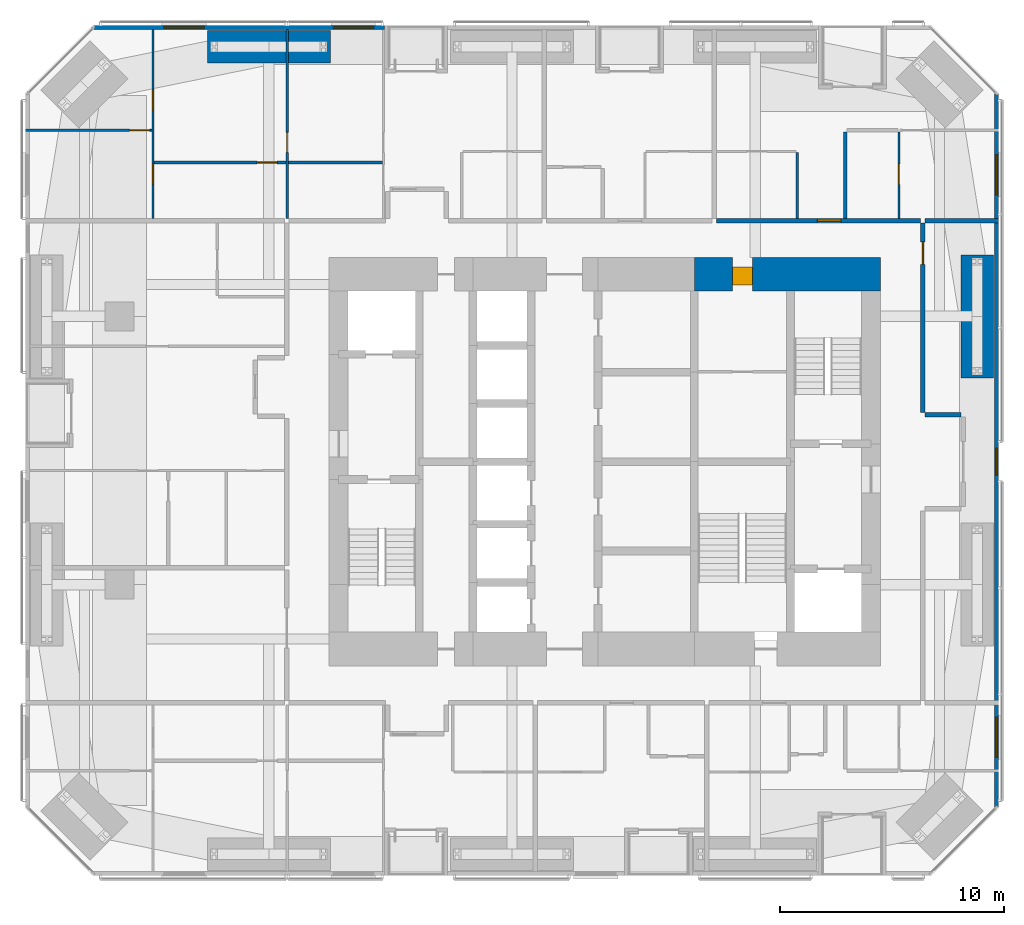
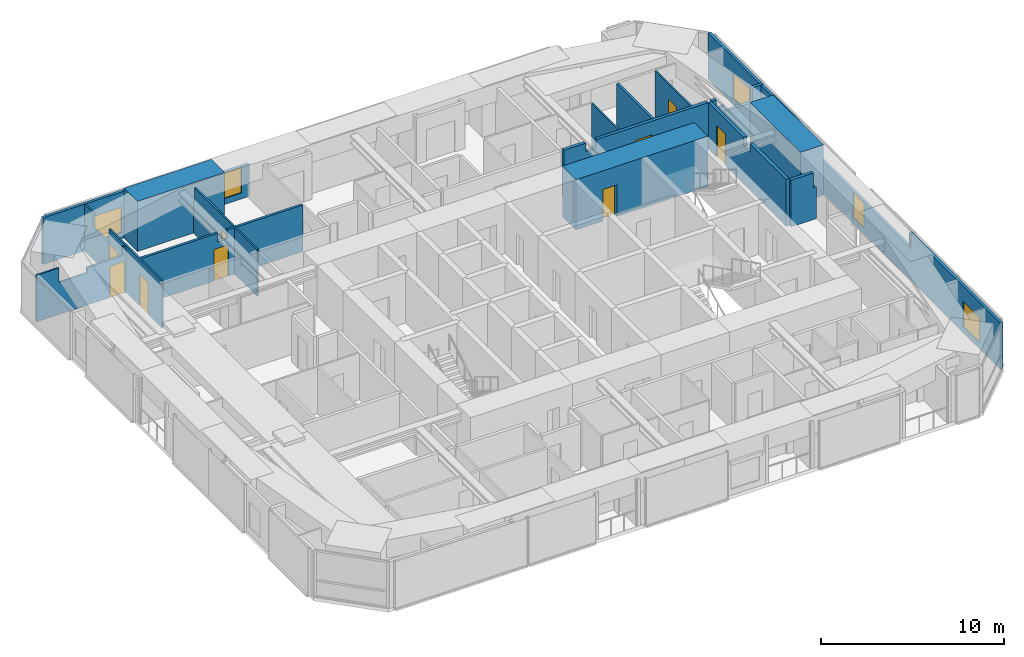
# One storey, part 22 of 25: 17 walls, 9 doors, 5 windows, 14 openings.
"""IFC4 building model written with IfcOpenShell, lengths in metres."""

import ifcopenshell
import ifcopenshell.guid

model = None  # the IFC model being written
_history = None  # IfcOwnerHistory: only IFC2X3 demands one
_inside = {}  # id of a spatial element -> (the spatial element, [elements in it])
_under = {}  # id of a project, library or spatial element -> (it, [spatial elements below it])
_declared = {}  # id of a project -> (the project, [libraries it declares])
_typed = {}  # id of a type object -> (the type object, [elements of that type])
_made_of = {}  # id of a material, layer set ... -> (it, [elements and type objects made of it])


def new_model(schema):
    """Start an empty IFC model of exactly this schema.

    Asked for "IFC4X3", IfcOpenShell would pick the latest addendum, in which some entities
    have other attributes; the version numbers below select the first issue.
    IFC2X3 requires an IfcOwnerHistory on every rooted entity: one is made here for all.
    """
    global model, _history
    if schema == "IFC4X3":
        model = ifcopenshell.file(schema_version=(4, 3, 0, 0))
    else:
        model = ifcopenshell.file(schema=schema)
    _inside.clear()
    _under.clear()
    _declared.clear()
    _typed.clear()
    _made_of.clear()
    _history = None
    if model.schema == "IFC2X3":
        org = make("IfcOrganization", Name="unknown")
        user = make(
            "IfcPersonAndOrganization",
            ThePerson=make("IfcPerson", FamilyName="unknown"),
            TheOrganization=org,
        )
        app = make(
            "IfcApplication",
            ApplicationDeveloper=org,
            Version="unknown",
            ApplicationFullName="unknown",
            ApplicationIdentifier="unknown",
        )
        _history = make(
            "IfcOwnerHistory",
            OwningUser=user,
            OwningApplication=app,
            ChangeAction="ADDED",
            CreationDate=0,
        )
    return model


def make(cls, **values):
    """One entity of the class cls with the attributes given. An attribute that is None is left unset."""
    return model.create_entity(
        cls, **{name: value for name, value in values.items() if value is not None}
    )


def rooted(cls, **values):
    """An entity with a GlobalId (a new one), such as an element, a storey or a relation."""
    return make(cls, GlobalId=ifcopenshell.guid.new(), OwnerHistory=_history, **values)


def si_unit(unit_type, name, prefix=None):
    """IfcSIUnit, for example si_unit("LENGTHUNIT", "METRE", prefix="MILLI")."""
    return make("IfcSIUnit", UnitType=unit_type, Prefix=prefix, Name=name)


def assignment(units):
    """IfcUnitAssignment: the units of a project."""
    return None if units is None else make("IfcUnitAssignment", Units=units)


def point(xyz):
    """IfcCartesianPoint."""
    return None if xyz is None else make("IfcCartesianPoint", Coordinates=xyz)


def direction(xyz):
    """IfcDirection."""
    return None if xyz is None else make("IfcDirection", DirectionRatios=xyz)


def frame(location, z_axis=None, x_axis=None):
    """IfcAxis2Placement3D, a coordinate frame: its origin and axes. An axis left out is left unset."""
    return make(
        "IfcAxis2Placement3D",
        Location=point(location),
        Axis=direction(z_axis),
        RefDirection=direction(x_axis),
    )


def frame_2d(location, x_axis=None):
    """IfcAxis2Placement2D, a coordinate frame in the plane: its origin and x axis."""
    return make(
        "IfcAxis2Placement2D", Location=point(location), RefDirection=direction(x_axis)
    )


def origin():
    """The frame at (0, 0, 0) with its axes left unset."""
    return frame((0.0, 0.0, 0.0))


def place(relative_to, where):
    """IfcLocalPlacement: puts the frame where relative to a parent placement (None: the world)."""
    return make(
        "IfcLocalPlacement", PlacementRelTo=relative_to, RelativePlacement=where
    )


def context(
    kind, dimensions, precision=None, world=None, true_north=None, identifier=None
):
    """IfcGeometricRepresentationContext, for example the 3D "Model" context."""
    return make(
        "IfcGeometricRepresentationContext",
        ContextIdentifier=identifier,
        ContextType=kind,
        CoordinateSpaceDimension=dimensions,
        Precision=precision,
        WorldCoordinateSystem=world,
        TrueNorth=true_north,
    )


def subcontext(parent, identifier, kind, view, scale=None):
    """IfcGeometricRepresentationSubContext, for example "Body" below "Model"."""
    return make(
        "IfcGeometricRepresentationSubContext",
        ContextIdentifier=identifier,
        ContextType=kind,
        ParentContext=parent,
        TargetScale=scale,
        TargetView=view,
    )


def project(units=None, contexts=None):
    """IfcProject with its units and contexts."""
    return rooted(
        "IfcProject",
        Name="project",
        RepresentationContexts=contexts,
        UnitsInContext=assignment(units),
    )


def spatial(cls, under=None, at=None, **own):
    """A site, building, storey or space (cls), placed at a placement, below another one or the project."""
    s = rooted(cls, ObjectPlacement=at, **own)
    if under is not None:
        _under.setdefault(under.id(), (under, []))[1].append(s)
    return s


def polyline(points):
    """IfcPolyline through the points."""
    return make("IfcPolyline", Points=[point(p) for p in points])


def profile(cls, at=None, kind="AREA", **sizes):
    """A parametric profile (cls). Its sizes go by their IFC names, for example OverallWidth=200.0."""
    return make(cls, ProfileType=kind, Position=at, **sizes)


def rectangle(**sizes):
    """IfcRectangleProfileDef."""
    return profile("IfcRectangleProfileDef", **sizes)


def outline(outer, holes=None, kind="AREA"):
    """IfcArbitraryClosedProfileDef: a profile drawn as a closed curve; with holes, ...WithVoids."""
    if holes is None:
        return make("IfcArbitraryClosedProfileDef", ProfileType=kind, OuterCurve=outer)
    return make(
        "IfcArbitraryProfileDefWithVoids",
        ProfileType=kind,
        OuterCurve=outer,
        InnerCurves=holes,
    )


def extrude(swept, where, along, depth):
    """IfcExtrudedAreaSolid: the profile swept, set in the frame where, extruded along a direction by depth."""
    return make(
        "IfcExtrudedAreaSolid",
        SweptArea=swept,
        Position=where,
        ExtrudedDirection=direction(along),
        Depth=depth,
    )


def shape(context_of_items, identifier, shape_type, items):
    """IfcShapeRepresentation: the items that make up one representation, for example the "Body"."""
    return make(
        "IfcShapeRepresentation",
        ContextOfItems=context_of_items,
        RepresentationIdentifier=identifier,
        RepresentationType=shape_type,
        Items=items,
    )


def material(Name=None, Category=None):
    """IfcMaterial."""
    return make("IfcMaterial", Name=Name, Category=Category)


def layer(
    of_material, thickness, ventilated=None, Name=None, Category=None, Priority=None
):
    """IfcMaterialLayer: one layer of a wall or slab, of a material (None: an air gap)."""
    return make(
        "IfcMaterialLayer",
        Material=of_material,
        LayerThickness=thickness,
        IsVentilated=ventilated,
        Name=Name,
        Category=Category,
        Priority=Priority,
    )


def layer_set(layers, Name=None):
    """IfcMaterialLayerSet."""
    return make("IfcMaterialLayerSet", MaterialLayers=layers, LayerSetName=Name)


def constituent(of_material, Name=None, Category=None, fraction=None):
    """IfcMaterialConstituent: one of the materials an element consists of."""
    return make(
        "IfcMaterialConstituent",
        Name=Name,
        Material=of_material,
        Fraction=fraction,
        Category=Category,
    )


def constituent_set(constituents=None, Name=None):
    """IfcMaterialConstituentSet."""
    return make(
        "IfcMaterialConstituentSet", Name=Name, MaterialConstituents=constituents
    )


def made_of(thing, what):
    """Note that an element or type object is made of a material, layer set ...; save() writes the relation."""
    if what is not None:
        _made_of.setdefault(what.id(), (what, []))[1].append(thing)
    return thing


def type_object(cls, material=None, **own):
    """A type object (cls), such as IfcWallType, which elements share."""
    return made_of(rooted(cls, **own), material)


def element(
    cls,
    number,
    at=None,
    inside=None,
    cuts=None,
    type_object=None,
    material=None,
    context=None,
    identifier="Body",
    shape_type=None,
    held_by="IfcProductDefinitionShape",
    body=None,
    shapes=None,
    **own,
):
    """One element of the class cls, such as IfcWall. Its Tag is "e" and its number.

    at: its placement. inside: the storey or other place that contains it. cuts: it is an
    opening in that element (IfcRelVoidsElement). A single representation is given by context,
    identifier, shape_type and body (its items); several are given by shapes. held_by: the class
    of the entity that holds the representations. save() writes the other relations.
    """
    e = rooted(cls, Tag="e%d" % number, ObjectPlacement=at, **own)
    if body is not None:
        shapes = [shape(context, identifier, shape_type, body)]
    if shapes is not None:
        e.Representation = make(held_by, Representations=shapes)
    if inside is not None:
        _inside.setdefault(inside.id(), (inside, []))[1].append(e)
    if cuts is not None:
        rooted(
            "IfcRelVoidsElement", RelatingBuildingElement=cuts, RelatedOpeningElement=e
        )
    if type_object is not None:
        _typed.setdefault(type_object.id(), (type_object, []))[1].append(e)
    return made_of(e, material)


def fill(opening, filler):
    """IfcRelFillsElement: the door or window that sits in an opening."""
    return rooted(
        "IfcRelFillsElement",
        RelatingOpeningElement=opening,
        RelatedBuildingElement=filler,
    )


def aggregate(whole, parts):
    """IfcRelAggregates: a whole, such as a stair, and the parts it consists of."""
    return rooted("IfcRelAggregates", RelatingObject=whole, RelatedObjects=parts)


def save(model, path):
    """Write the relations noted so far, then the file.

    IfcRelAggregates (storeys below a building ...), IfcRelContainedInSpatialStructure (elements
    in a storey), IfcRelDefinesByType, IfcRelAssociatesMaterial and IfcRelDeclares: one each for
    every whole, place, type object, material and project.
    """
    for whole, parts in _under.values():
        aggregate(whole, parts)
    for where, things in _inside.values():
        rooted(
            "IfcRelContainedInSpatialStructure",
            RelatedElements=things,
            RelatingStructure=where,
        )
    for kind, things in _typed.values():
        rooted("IfcRelDefinesByType", RelatedObjects=things, RelatingType=kind)
    for what, things in _made_of.values():
        rooted("IfcRelAssociatesMaterial", RelatedObjects=things, RelatingMaterial=what)
    for by, libraries in _declared.values():
        rooted("IfcRelDeclares", RelatingContext=by, RelatedDefinitions=libraries)
    model.write(path)


model = new_model("IFC4")

# Units and contexts
model_context = context("Model", 3, precision=1e-05, world=origin(), true_north=direction((0.0, 1.0)))
body_context = subcontext(model_context, "Body", "Model", "MODEL_VIEW")
ifc_project = project(units=[si_unit("LENGTHUNIT", "METRE"), si_unit("AREAUNIT", "SQUARE_METRE"), si_unit("VOLUMEUNIT", "CUBIC_METRE"), si_unit("PLANEANGLEUNIT", "RADIAN"), si_unit("MASSUNIT", "GRAM", prefix="KILO")], contexts=[model_context])

# Site, building, storey
site_placement = place(None, origin())
site = spatial("IfcSite", under=ifc_project, at=site_placement, CompositionType="ELEMENT")
building_placement = place(site_placement, origin())
building = spatial("IfcBuilding", under=site, at=building_placement, Name="Jalousie Tower", CompositionType="ELEMENT")
storey_placement = place(building_placement, frame((0.0, 0.0, 101.5)))
storey = spatial("IfcBuildingStorey", under=building, at=storey_placement, Name="L27", CompositionType="ELEMENT", Elevation=101.5)

# Wall, opening, door
ifc_material_1 = material(Name="Concrete block ASTM C90", Category="concrete")
ifc_constituent_1 = constituent(ifc_material_1, Name="Body")
ifc_material_2 = material(Name="Render")
ifc_constituent_2 = constituent(ifc_material_2, Name="Finish")
ifc_constituent_set_1 = constituent_set(constituents=[ifc_constituent_1, ifc_constituent_2])
wall_type_1 = type_object("IfcWallType", Name="BATHROOM WALL 150", PredefinedType="PLUMBINGWALL", material=ifc_constituent_set_1)
wall_1_placement = place(storey_placement, frame((11.75, 31.875, 0.0), z_axis=(0.0, 0.0, 1.0), x_axis=(1.0, 0.0, 0.0)))
wall_1 = element("IfcWall", 1, at=wall_1_placement, inside=storey, type_object=wall_type_1, Name="Bathroom Wall 150 L27", PredefinedType="PLUMBINGWALL", context=body_context, shape_type="SweptSolid", body=[
    extrude(outline(polyline([(0.0, 0.0), (5.89990234375, 0.0), (5.89990234375, 3.110107421875), (5.4375, 3.110107421875), (5.4375, 2.541015625), (4.8125, 2.541015625), (4.8125, 3.110107421875), (0.0, 3.110107421875), (0.0, 0.0)])), frame((0.0, 0.074951171875, 0.0), z_axis=(0.0, -1.0, 0.0), x_axis=(1.0, 0.0, 0.0)), (0.0, 0.0, 1.0), 0.14990234375),
])
opening_1_placement = place(wall_1_placement, frame((4.60009765625, 0.0, 0.0)))
opening_1 = element("IfcOpeningElement", 2, at=opening_1_placement, cuts=wall_1, Name="Opening D3", PredefinedType="OPENING", context=body_context, shape_type="SweptSolid", body=[
    extrude(rectangle(XDim=0.89990234375, YDim=2.10009765625, at=frame_2d((0.449951171875, 1.050048828125))), frame((0.0, 0.0849609375, 0.0), z_axis=(0.0, -1.0, 0.0), x_axis=(1.0, 0.0, 0.0)), (0.0, 0.0, 1.0), 0.169921875),
])
ifc_material_3 = material(Name="Timber door", Category="wood")
door_type_1 = type_object("IfcDoorType", Name="BATHROOM DOOR 900", OperationType="SINGLE_SWING_LEFT", PredefinedType="DOOR", material=ifc_material_3)
door_1_placement = place(opening_1_placement, frame((0.89990234375, 0.0, 0.0), z_axis=(0.0, 0.0, 1.0), x_axis=(-1.0, 0.0, 0.0)))
door_1 = element("IfcDoor", 3, at=door_1_placement, inside=storey, type_object=door_type_1, Name="Apartment 2704 bedroom 2 bathroom door", OperationType="SINGLE_SWING_LEFT", OverallHeight=2.10009765625, OverallWidth=0.89990234375, PredefinedType="DOOR", context=body_context, shape_type="SweptSolid", body=[
    extrude(rectangle(XDim=0.89990234375, YDim=2.10009765625, at=frame_2d((0.449951171875, 1.050048828125))), frame((0.0, 0.02490234375, 0.0), z_axis=(0.0, -1.0, 0.0), x_axis=(1.0, 0.0, 0.0)), (0.0, 0.0, 1.0), 0.050048828125),
])
fill(opening_1, door_1)

# Walls
wall_2_placement = place(storey_placement, frame((17.75, 31.875, 0.0), z_axis=(0.0, 0.0, 1.0), x_axis=(1.0, 0.0, 0.0)))
element("IfcWall", 4, at=wall_2_placement, inside=storey, type_object=wall_type_1, Name="Bathroom Wall 150 L27", PredefinedType="PLUMBINGWALL", context=body_context, shape_type="SweptSolid", body=[
    extrude(rectangle(XDim=4.199951171875, YDim=0.14990234375, at=frame_2d((2.10009765625, 0.0))), origin(), (0.0, 0.0, 1.0), 3.110107421875),
])
wall_3_placement = place(storey_placement, frame((42.64990234375, 33.2490234375, 0.0), z_axis=(0.0, 0.0, 1.0), x_axis=(0.0, -1.0, 0.0)))
element("IfcWall", 5, at=wall_3_placement, inside=storey, type_object=wall_type_1, Name="Bathroom Wall 150 L27", PredefinedType="PLUMBINGWALL", context=body_context, shape_type="SweptSolid", body=[
    extrude(rectangle(XDim=3.8740234375, YDim=0.14990234375, at=frame_2d((1.93701171875, 0.0))), origin(), (0.0, 0.0, 1.0), 3.110107421875),
])

# Wall, opening, door
ifc_material_4 = material(Name="Concrete f'c 120 MPa", Category="concrete")
ifc_layer_1 = layer(ifc_material_4, 1.5)
ifc_layer_set_1 = layer_set([ifc_layer_1], Name="Concrete f'c 120 MPa")
wall_type_2 = type_object("IfcWallType", Name="CORE WALL 1500", PredefinedType="SHEAR", material=ifc_layer_set_1)
wall_4_placement = place(storey_placement, frame((44.22509765625, 26.875, 0.0), z_axis=(0.0, 0.0, 1.0), x_axis=(-1.0, 0.0, 0.0)))
wall_4 = element("IfcWall", 6, at=wall_4_placement, inside=storey, type_object=wall_type_2, Name="Core wall NA L27", PredefinedType="SHEAR", context=body_context, shape_type="SweptSolid", body=[
    extrude(rectangle(XDim=8.3251953125, YDim=1.5, at=frame_2d((4.16259765625, 0.0))), origin(), (0.0, 0.0, 1.0), 3.35009765625),
])
opening_2_placement = place(wall_4_placement, frame((5.72509765625, 0.0, 0.0)))
opening_2 = element("IfcOpeningElement", 7, at=opening_2_placement, cuts=wall_4, Name="Opening D26", PredefinedType="OPENING", context=body_context, shape_type="SweptSolid", body=[
    extrude(rectangle(XDim=0.89990234375, YDim=2.10009765625, at=frame_2d((0.449951171875, 1.050048828125))), frame((0.0, 0.760009765625, 0.0), z_axis=(0.0, -1.0, 0.0), x_axis=(1.0, 0.0, 0.0)), (0.0, 0.0, 1.0), 1.52001953125),
])
ifc_material_5 = material(Name="Steel fire door", Category="steel")
door_type_2 = type_object("IfcDoorType", Name="HOUSEKEEPING STORE DOOR 900", OperationType="SINGLE_SWING_LEFT", PredefinedType="DOOR", material=ifc_material_5)
door_2_placement = place(opening_2_placement, origin())
door_2 = element("IfcDoor", 8, at=door_2_placement, inside=storey, type_object=door_type_2, Name="Housekeeping store door", OperationType="SINGLE_SWING_LEFT", OverallHeight=2.10009765625, OverallWidth=0.89990234375, PredefinedType="DOOR", context=body_context, shape_type="SweptSolid", body=[
    extrude(rectangle(XDim=0.89990234375, YDim=2.10009765625, at=frame_2d((0.449951171875, 1.050048828125))), frame((0.0, 0.47021484375, 0.0), z_axis=(0.0, -1.0, 0.0), x_axis=(1.0, 0.0, 0.0)), (0.0, 0.0, 1.0), 0.800048828125),
])
fill(opening_2, door_2)

ifc_material_6 = material(Name="Concrete block ASTM C90", Category="concrete")
ifc_constituent_3 = constituent(ifc_material_6, Name="Body")
ifc_material_7 = material(Name="Render")
ifc_constituent_4 = constituent(ifc_material_7, Name="Finish")
ifc_constituent_set_2 = constituent_set(constituents=[ifc_constituent_3, ifc_constituent_4])
wall_type_3 = type_object("IfcWallType", Name="CORRIDOR WALL 200", PredefinedType="PARTITIONING", material=ifc_constituent_set_2)
wall_5_placement = place(storey_placement, frame((36.89990234375, 29.27490234375, 0.0), z_axis=(0.0, 0.0, 1.0), x_axis=(1.0, 0.0, 0.0)))
wall_5 = element("IfcWall", 9, at=wall_5_placement, inside=storey, type_object=wall_type_3, Name="Corridor Wall 200 L27", PredefinedType="PARTITIONING", context=body_context, shape_type="SweptSolid", body=[
    extrude(outline(polyline([(0.0, 0.0), (9.125, 0.0), (9.125, 3.110107421875), (2.0625, 3.110107421875), (2.0625, 2.541015625), (1.3876953125, 2.541015625), (1.3876953125, 3.110107421875), (0.0, 3.110107421875), (0.0, 0.0)])), frame((0.0, 0.10009765625, 0.0), z_axis=(0.0, -1.0, 0.0), x_axis=(1.0, 0.0, 0.0)), (0.0, 0.0, 1.0), 0.199951171875),
])
opening_3_placement = place(wall_5_placement, frame((4.5, 0.0, 0.0)))
opening_3 = element("IfcOpeningElement", 10, at=opening_3_placement, cuts=wall_5, Name="Opening D1", PredefinedType="OPENING", context=body_context, shape_type="SweptSolid", body=[
    extrude(rectangle(XDim=1.050048828125, YDim=2.199951171875, at=frame_2d((0.52490234375, 1.10009765625))), frame((0.0, 0.10986328125, 0.0), z_axis=(0.0, -1.0, 0.0), x_axis=(1.0, 0.0, 0.0)), (0.0, 0.0, 1.0), 0.219970703125),
])
ifc_material_8 = material(Name="Timber fire door", Category="wood")
door_type_3 = type_object("IfcDoorType", Name="APARTMENT ENTRANCE DOOR 1050", OperationType="SINGLE_SWING_LEFT", PredefinedType="DOOR", material=ifc_material_8)
door_3_placement = place(opening_3_placement, origin())
door_3 = element("IfcDoor", 11, at=door_3_placement, inside=storey, type_object=door_type_3, Name="Apartment 2706 entrance", OperationType="SINGLE_SWING_RIGHT", OverallHeight=2.199951171875, OverallWidth=1.050048828125, PredefinedType="DOOR", context=body_context, shape_type="SweptSolid", body=[
    extrude(rectangle(XDim=1.050048828125, YDim=2.199951171875, at=frame_2d((0.52490234375, 1.10009765625))), frame((0.0, 0.02490234375, 0.0), z_axis=(0.0, -1.0, 0.0), x_axis=(1.0, 0.0, 0.0)), (0.0, 0.0, 1.0), 0.050048828125),
])
fill(opening_3, door_3)

wall_6_placement = place(storey_placement, frame((46.125, 20.699951171875, 0.0), z_axis=(0.0, 0.0, 1.0), x_axis=(0.0, 1.0, 0.0)))
wall_6 = element("IfcWall", 12, at=wall_6_placement, inside=storey, type_object=wall_type_3, Name="Corridor Wall 200 L27", PredefinedType="PARTITIONING", context=body_context, shape_type="SweptSolid", body=[
    extrude(outline(polyline([(0.0, 0.0), (8.47509765625, 0.0), (8.47509765625, 3.110107421875), (4.63720703125, 3.110107421875), (4.63720703125, 2.541015625), (3.962646484375, 2.541015625), (3.962646484375, 3.110107421875), (0.0, 3.110107421875), (0.0, 0.0)])), frame((0.0, 0.10009765625, 0.0), z_axis=(0.0, -1.0, 0.0), x_axis=(1.0, 0.0, 0.0)), (0.0, 0.0, 1.0), 0.199951171875),
])
opening_4_placement = place(wall_6_placement, frame((6.625, 0.0, 0.0)))
opening_4 = element("IfcOpeningElement", 13, at=opening_4_placement, cuts=wall_6, Name="Opening D21", PredefinedType="OPENING", context=body_context, shape_type="SweptSolid", body=[
    extrude(rectangle(XDim=1.0, YDim=2.10009765625, at=frame_2d((0.5, 1.050048828125))), frame((0.0, 0.10986328125, 0.0), z_axis=(0.0, -1.0, 0.0), x_axis=(1.0, 0.0, 0.0)), (0.0, 0.0, 1.0), 0.219970703125),
])
ifc_material_9 = material(Name="Timber fire door", Category="wood")
door_type_4 = type_object("IfcDoorType", Name="CORRIDOR DOOR 1000", OperationType="SINGLE_SWING_LEFT", PredefinedType="DOOR", material=ifc_material_9)
door_4_placement = place(opening_4_placement, frame((1.0, 0.0, 0.0), z_axis=(0.0, 0.0, 1.0), x_axis=(-1.0, 0.0, 0.0)))
door_4 = element("IfcDoor", 14, at=door_4_placement, inside=storey, type_object=door_type_4, Name="Lounge second door", OperationType="SINGLE_SWING_LEFT", OverallHeight=2.10009765625, OverallWidth=1.0, PredefinedType="DOOR", context=body_context, shape_type="SweptSolid", body=[
    extrude(rectangle(XDim=1.0, YDim=2.10009765625, at=frame_2d((0.5, 1.050048828125))), frame((0.0, 0.02490234375, 0.0), z_axis=(0.0, -1.0, 0.0), x_axis=(1.0, 0.0, 0.0)), (0.0, 0.0, 1.0), 0.050048828125),
])
fill(opening_4, door_4)

# Wall
wall_7_placement = place(storey_placement, frame((46.22509765625, 20.60009765625, 0.0), z_axis=(0.0, 0.0, 1.0), x_axis=(1.0, 0.0, 0.0)))
element("IfcWall", 15, at=wall_7_placement, inside=storey, type_object=wall_type_3, Name="Corridor Wall 200 L27", PredefinedType="PARTITIONING", context=body_context, shape_type="SweptSolid", body=[
    extrude(outline(polyline([(0.0, 0.0), (1.599853515625, 0.0), (1.60009765625, 3.110107421875), (1.60009765625, 2.14990234375), (1.4150390625, 2.14990234375), (1.4150390625, 3.110107421875), (0.0, 3.110107421875), (0.0, 0.0)])), frame((0.0, 0.10009765625, 0.0), z_axis=(0.0, -1.0, 0.0), x_axis=(1.0, 0.0, 0.0)), (0.0, 0.0, 1.0), 0.199951171875),
])

# Wall, openings, windows
ifc_material_10 = material(Name="Concrete f'c 40 MPa", Category="concrete")
ifc_constituent_5 = constituent(ifc_material_10, Name="Body")
ifc_material_11 = material(Name="Render, pastel sea green")
ifc_constituent_6 = constituent(ifc_material_11, Name="Finish")
ifc_constituent_set_3 = constituent_set(constituents=[ifc_constituent_5, ifc_constituent_6])
wall_type_4 = type_object("IfcWallType", Name="EXTERNAL WALL 175 SEA GREEN RENDER", PredefinedType="SOLIDWALL", material=ifc_constituent_set_3)
wall_8_placement = place(storey_placement, frame((49.41259765625, 3.05126953125, 0.0), z_axis=(0.0, 0.0, 1.0), x_axis=(0.0, 1.0, 0.0)))
wall_8 = element("IfcWall", 16, at=wall_8_placement, inside=storey, type_object=wall_type_4, Name="External Wall 175 Sea Green Render L27", PredefinedType="SOLIDWALL", context=body_context, shape_type="SweptSolid", body=[
    extrude(outline(polyline([(0.0, 0.0), (31.8974609375, 0.0), (31.8974609375, 3.110107421875), (22.167236328125, 3.110107421875), (22.167236328125, 2.14990234375), (22.074462890625, 2.14990234375), (22.074462890625, 3.110107421875), (21.94873046875, 3.110107421875), (21.94873046875, 2.14990234375), (9.94873046875, 2.14990234375), (9.94873046875, 3.110107421875), (9.822998046875, 3.110107421875), (9.822998046875, 2.14990234375), (9.72998046875, 2.14990234375), (9.72998046875, 3.110107421875), (0.0, 3.110107421875), (0.0, 0.0)])), frame((0.0, 0.08740234375, 0.0), z_axis=(0.0, -1.0, 0.0), x_axis=(1.0, 0.0, 0.0)), (0.0, 0.0, 1.0), 0.175048828125),
])
opening_5_placement = place(wall_8_placement, frame((2.22412109375, 0.0, 0.39990234375)))
opening_5 = element("IfcOpeningElement", 17, at=opening_5_placement, cuts=wall_8, Name="Opening W-BED170", PredefinedType="OPENING", context=body_context, shape_type="SweptSolid", body=[
    extrude(rectangle(XDim=1.800048828125, YDim=1.699951171875, at=frame_2d((0.89990234375, 0.85009765625))), frame((0.0, 0.097412109375, 0.0), z_axis=(0.0, -1.0, 0.0), x_axis=(1.0, 0.0, 0.0)), (0.0, 0.0, 1.0), 0.195068359375),
])
opening_6_placement = place(wall_8_placement, frame((14.8486328125, 0.0, 0.39990234375)))
opening_6 = element("IfcOpeningElement", 18, at=opening_6_placement, cuts=wall_8, Name="Opening W-COR170", PredefinedType="OPENING", context=body_context, shape_type="SweptSolid", body=[
    extrude(rectangle(XDim=1.199951171875, YDim=1.699951171875, at=frame_2d((0.60009765625, 0.85009765625))), frame((0.0, 0.097412109375, 0.0), z_axis=(0.0, -1.0, 0.0), x_axis=(1.0, 0.0, 0.0)), (0.0, 0.0, 1.0), 0.195068359375),
])
opening_7_placement = place(wall_8_placement, frame((27.373291015625, 0.0, 0.39990234375)))
opening_7 = element("IfcOpeningElement", 19, at=opening_7_placement, cuts=wall_8, Name="Opening W-BED170", PredefinedType="OPENING", context=body_context, shape_type="SweptSolid", body=[
    extrude(rectangle(XDim=1.800048828125, YDim=1.699951171875, at=frame_2d((0.89990234375, 0.85009765625))), frame((0.0, 0.097412109375, 0.0), z_axis=(0.0, -1.0, 0.0), x_axis=(1.0, 0.0, 0.0)), (0.0, 0.0, 1.0), 0.195068359375),
])
ifc_material_12 = material(Name="Aluminium frame, impact-rated glazing", Category="aluminium")
window_type_1 = type_object("IfcWindowType", Name="WINDOW BED 1800x1700", PartitioningType="SINGLE_PANEL", PredefinedType="WINDOW", material=ifc_material_12)
window_1_placement = place(opening_5_placement, origin())
window_1 = element("IfcWindow", 20, at=window_1_placement, inside=storey, type_object=window_type_1, Name="Apartment 2703 bedroom 1 window", OverallHeight=1.699951171875, OverallWidth=1.800048828125, PartitioningType="SINGLE_PANEL", PredefinedType="WINDOW", context=body_context, shape_type="SweptSolid", body=[
    extrude(rectangle(XDim=1.800048828125, YDim=1.699951171875, at=frame_2d((0.89990234375, 0.85009765625))), frame((0.0, 0.030029296875, 0.0), z_axis=(0.0, -1.0, 0.0), x_axis=(1.0, 0.0, 0.0)), (0.0, 0.0, 1.0), 0.06005859375),
])
fill(opening_5, window_1)
window_2_placement = place(opening_7_placement, origin())
window_2 = element("IfcWindow", 21, at=window_2_placement, inside=storey, type_object=window_type_1, Name="Apartment 2706 bedroom 1 window", OverallHeight=1.699951171875, OverallWidth=1.800048828125, PartitioningType="SINGLE_PANEL", PredefinedType="WINDOW", context=body_context, shape_type="SweptSolid", body=[
    extrude(rectangle(XDim=1.800048828125, YDim=1.699951171875, at=frame_2d((0.89990234375, 0.85009765625))), frame((0.0, 0.030029296875, 0.0), z_axis=(0.0, -1.0, 0.0), x_axis=(1.0, 0.0, 0.0)), (0.0, 0.0, 1.0), 0.06005859375),
])
fill(opening_7, window_2)
ifc_material_13 = material(Name="Aluminium frame, impact-rated glazing", Category="aluminium")
window_type_2 = type_object("IfcWindowType", Name="WINDOW COR 1200x1700", PartitioningType="SINGLE_PANEL", PredefinedType="WINDOW", material=ifc_material_13)
window_3_placement = place(opening_6_placement, origin())
window_3 = element("IfcWindow", 22, at=window_3_placement, inside=storey, type_object=window_type_2, Name="Residents' lounge window", OverallHeight=1.699951171875, OverallWidth=1.199951171875, PartitioningType="SINGLE_PANEL", PredefinedType="WINDOW", context=body_context, shape_type="SweptSolid", body=[
    extrude(rectangle(XDim=1.199951171875, YDim=1.699951171875, at=frame_2d((0.60009765625, 0.85009765625))), frame((0.0, 0.030029296875, 0.0), z_axis=(0.0, -1.0, 0.0), x_axis=(1.0, 0.0, 0.0)), (0.0, 0.0, 1.0), 0.06005859375),
])
fill(opening_6, window_3)

wall_9_placement = place(storey_placement, frame((22.050048828125, 37.91259765625, 0.0), z_axis=(0.0, 0.0, 1.0), x_axis=(-1.0, 0.0, 0.0)))
wall_9 = element("IfcWall", 23, at=wall_9_placement, inside=storey, type_object=wall_type_4, Name="External Wall 175 Sea Green Render L27", PredefinedType="SOLIDWALL", context=body_context, shape_type="SweptSolid", body=[
    extrude(outline(polyline([(0.0, 0.0), (12.998779296875, 0.0), (12.998779296875, 3.110107421875), (5.37841796875, 3.110107421875), (5.37841796875, 2.14990234375), (5.3330078125, 2.14990234375), (5.3330078125, 3.110107421875), (5.175048828125, 3.110107421875), (5.175048828125, 2.14990234375), (0.0, 2.14990234375), (0.0, 0.0)])), frame((0.0, 0.08740234375, 0.0), z_axis=(0.0, -1.0, 0.0), x_axis=(1.0, 0.0, 0.0)), (0.0, 0.0, 1.0), 0.175048828125),
])
opening_8_placement = place(wall_9_placement, frame((0.492431640625, 0.0, 0.39990234375)))
opening_8 = element("IfcOpeningElement", 24, at=opening_8_placement, cuts=wall_9, Name="Opening W-BED170", PredefinedType="OPENING", context=body_context, shape_type="SweptSolid", body=[
    extrude(rectangle(XDim=1.800048828125, YDim=1.699951171875, at=frame_2d((0.89990234375, 0.85009765625))), frame((0.0, 0.097412109375, 0.0), z_axis=(0.0, -1.0, 0.0), x_axis=(1.0, 0.0, 0.0)), (0.0, 0.0, 1.0), 0.195068359375),
])
opening_9_placement = place(wall_9_placement, frame((8.06494140625, 0.0, 0.39990234375)))
opening_9 = element("IfcOpeningElement", 25, at=opening_9_placement, cuts=wall_9, Name="Opening W-BED170", PredefinedType="OPENING", context=body_context, shape_type="SweptSolid", body=[
    extrude(rectangle(XDim=1.800048828125, YDim=1.699951171875, at=frame_2d((0.89990234375, 0.85009765625))), frame((0.0, 0.097412109375, 0.0), z_axis=(0.0, -1.0, 0.0), x_axis=(1.0, 0.0, 0.0)), (0.0, 0.0, 1.0), 0.195068359375),
])
window_4_placement = place(opening_8_placement, origin())
window_4 = element("IfcWindow", 26, at=window_4_placement, inside=storey, type_object=window_type_1, Name="Apartment 2704 bedroom 3 window", OverallHeight=1.699951171875, OverallWidth=1.800048828125, PartitioningType="SINGLE_PANEL", PredefinedType="WINDOW", context=body_context, shape_type="SweptSolid", body=[
    extrude(rectangle(XDim=1.800048828125, YDim=1.699951171875, at=frame_2d((0.89990234375, 0.85009765625))), frame((0.0, 0.030029296875, 0.0), z_axis=(0.0, -1.0, 0.0), x_axis=(1.0, 0.0, 0.0)), (0.0, 0.0, 1.0), 0.06005859375),
])
fill(opening_8, window_4)
window_5_placement = place(opening_9_placement, origin())
window_5 = element("IfcWindow", 27, at=window_5_placement, inside=storey, type_object=window_type_1, Name="Apartment 2704 bedroom 2 window", OverallHeight=1.699951171875, OverallWidth=1.800048828125, PartitioningType="SINGLE_PANEL", PredefinedType="WINDOW", context=body_context, shape_type="SweptSolid", body=[
    extrude(rectangle(XDim=1.800048828125, YDim=1.699951171875, at=frame_2d((0.89990234375, 0.85009765625))), frame((0.0, 0.030029296875, 0.0), z_axis=(0.0, -1.0, 0.0), x_axis=(1.0, 0.0, 0.0)), (0.0, 0.0, 1.0), 0.06005859375),
])
fill(opening_9, window_5)

# Wall, openings, doors
ifc_material_14 = material(Name="Gypsum board", Category="gypsum")
ifc_constituent_7 = constituent(ifc_material_14, Name="Body")
ifc_material_15 = material(Name="Light-gauge steel studs ASTM A653 SS Grade 33", Category="steel")
ifc_constituent_8 = constituent(ifc_material_15, Name="Framing")
ifc_constituent_set_4 = constituent_set(constituents=[ifc_constituent_7, ifc_constituent_8])
wall_type_5 = type_object("IfcWallType", Name="PARTITION 100", PredefinedType="PARTITIONING", material=ifc_constituent_set_4)
wall_10_placement = place(storey_placement, frame((11.699951171875, 37.824951171875, 0.0), z_axis=(0.0, 0.0, 1.0), x_axis=(0.0, -1.0, 0.0)))
wall_10 = element("IfcWall", 28, at=wall_10_placement, inside=storey, type_object=wall_type_5, Name="Partition 100 L27", PredefinedType="PARTITIONING", context=body_context, shape_type="SweptSolid", body=[
    extrude(outline(polyline([(0.0, 0.0), (8.449951171875, 0.0), (8.449951171875, 3.110107421875), (2.708251953125, 3.110107421875), (2.708251953125, 2.14990234375), (0.952880859375, 2.14990234375), (0.952880859375, 3.110107421875), (0.0, 3.110107421875), (0.0, 0.0)])), frame((0.0, 0.050048828125, 0.0), z_axis=(0.0, -1.0, 0.0), x_axis=(1.0, 0.0, 0.0)), (0.0, 0.0, 1.0), 0.10009765625),
])
opening_10_placement = place(wall_10_placement, frame((2.700927734375, 0.0, 0.0)))
opening_10 = element("IfcOpeningElement", 29, at=opening_10_placement, cuts=wall_10, Name="Opening D2", PredefinedType="OPENING", context=body_context, shape_type="SweptSolid", body=[
    extrude(rectangle(XDim=0.89990234375, YDim=2.10009765625, at=frame_2d((0.449951171875, 1.050048828125))), frame((0.0, 0.06005859375, 0.0), z_axis=(0.0, -1.0, 0.0), x_axis=(1.0, 0.0, 0.0)), (0.0, 0.0, 1.0), 0.1201171875),
])
opening_11_placement = place(wall_10_placement, frame((6.025390625, 0.0, 0.0)))
opening_11 = element("IfcOpeningElement", 30, at=opening_11_placement, cuts=wall_10, Name="Opening D3", PredefinedType="OPENING", context=body_context, shape_type="SweptSolid", body=[
    extrude(rectangle(XDim=0.89990234375, YDim=2.10009765625, at=frame_2d((0.449951171875, 1.050048828125))), frame((0.0, 0.06005859375, 0.0), z_axis=(0.0, -1.0, 0.0), x_axis=(1.0, 0.0, 0.0)), (0.0, 0.0, 1.0), 0.1201171875),
])
door_5_placement = place(opening_11_placement, origin())
door_5 = element("IfcDoor", 31, at=door_5_placement, inside=storey, type_object=door_type_1, Name="Apartment 2704 bedroom 1 bathroom door", OperationType="SINGLE_SWING_LEFT", OverallHeight=2.10009765625, OverallWidth=0.89990234375, PredefinedType="DOOR", context=body_context, shape_type="SweptSolid", body=[
    extrude(rectangle(XDim=0.89990234375, YDim=2.10009765625, at=frame_2d((0.449951171875, 1.050048828125))), frame((0.0, 0.02490234375, 0.0), z_axis=(0.0, -1.0, 0.0), x_axis=(1.0, 0.0, 0.0)), (0.0, 0.0, 1.0), 0.050048828125),
])
fill(opening_11, door_5)
ifc_material_16 = material(Name="Timber door", Category="wood")
door_type_5 = type_object("IfcDoorType", Name="BEDROOM DOOR 900", OperationType="SINGLE_SWING_LEFT", PredefinedType="DOOR", material=ifc_material_16)
door_6_placement = place(opening_10_placement, origin())
door_6 = element("IfcDoor", 32, at=door_6_placement, inside=storey, type_object=door_type_5, Name="Apartment 2704 bedroom 1 door", OperationType="SINGLE_SWING_RIGHT", OverallHeight=2.10009765625, OverallWidth=0.89990234375, PredefinedType="DOOR", context=body_context, shape_type="SweptSolid", body=[
    extrude(rectangle(XDim=0.89990234375, YDim=2.10009765625, at=frame_2d((0.449951171875, 1.050048828125))), frame((0.0, 0.02490234375, 0.0), z_axis=(0.0, -1.0, 0.0), x_axis=(1.0, 0.0, 0.0)), (0.0, 0.0, 1.0), 0.050048828125),
])
fill(opening_10, door_6)

# Wall, opening, door
wall_11_placement = place(storey_placement, frame((17.699951171875, 37.824951171875, 0.0), z_axis=(0.0, 0.0, 1.0), x_axis=(0.0, -1.0, 0.0)))
wall_11 = element("IfcWall", 33, at=wall_11_placement, inside=storey, type_object=wall_type_5, Name="Partition 100 L27", PredefinedType="PARTITIONING", context=body_context, shape_type="SweptSolid", body=[
    extrude(outline(polyline([(1.635009765625, 2.14990234375), (0.0, 2.14990234375), (0.0, 0.0), (8.449951171875, 0.0), (8.449951171875, 3.110107421875), (1.635009765625, 3.110107421875), (1.635009765625, 2.14990234375)]), holes=[polyline([(1.021240234375, 0.115966796875), (0.52880859375, 0.115966796875), (0.52880859375, 0.906005859375), (1.021240234375, 0.906005859375), (1.021240234375, 0.115966796875)]), polyline([(1.021240234375, 1.244140625), (0.52880859375, 1.244140625), (0.52880859375, 2.033935546875), (1.021240234375, 2.033935546875), (1.021240234375, 1.244140625)])]), frame((0.0, 0.050048828125, 0.0), z_axis=(0.0, -1.0, 0.0), x_axis=(1.0, 0.0, 0.0)), (0.0, 0.0, 1.0), 0.10009765625),
])
opening_12_placement = place(wall_11_placement, frame((4.60009765625, 0.0, 0.0)))
opening_12 = element("IfcOpeningElement", 34, at=opening_12_placement, cuts=wall_11, Name="Opening D2", PredefinedType="OPENING", context=body_context, shape_type="SweptSolid", body=[
    extrude(rectangle(XDim=0.89990234375, YDim=2.10009765625, at=frame_2d((0.449951171875, 1.050048828125))), frame((0.0, 0.06005859375, 0.0), z_axis=(0.0, -1.0, 0.0), x_axis=(1.0, 0.0, 0.0)), (0.0, 0.0, 1.0), 0.1201171875),
])
door_7_placement = place(opening_12_placement, frame((0.89990234375, 0.0, 0.0), z_axis=(0.0, 0.0, 1.0), x_axis=(-1.0, 0.0, 0.0)))
door_7 = element("IfcDoor", 35, at=door_7_placement, inside=storey, type_object=door_type_5, Name="Apartment 2704 bedroom 2 door", OperationType="SINGLE_SWING_LEFT", OverallHeight=2.10009765625, OverallWidth=0.89990234375, PredefinedType="DOOR", context=body_context, shape_type="SweptSolid", body=[
    extrude(rectangle(XDim=0.89990234375, YDim=2.10009765625, at=frame_2d((0.449951171875, 1.050048828125))), frame((0.0, 0.02490234375, 0.0), z_axis=(0.0, -1.0, 0.0), x_axis=(1.0, 0.0, 0.0)), (0.0, 0.0, 1.0), 0.050048828125),
])
fill(opening_12, door_7)

wall_12_placement = place(storey_placement, frame((6.0, 33.32421875, 0.0), z_axis=(0.0, 0.0, 1.0), x_axis=(1.0, 0.0, 0.0)))
wall_12 = element("IfcWall", 36, at=wall_12_placement, inside=storey, type_object=wall_type_5, Name="Partition 100 L27", PredefinedType="PARTITIONING", context=body_context, shape_type="SweptSolid", body=[
    extrude(outline(polyline([(0.0, 0.0), (5.64990234375, 0.0), (5.64990234375, 3.110107421875), (5.4599609375, 3.110107421875), (5.4599609375, 2.510009765625), (3.171142578125, 2.510009765625), (3.171142578125, 2.14990234375), (1.4287109375, 2.14990234375), (1.4287109375, 3.110107421875), (0.0, 3.110107421875), (0.0, 0.0)])), frame((0.0, 0.050048828125, 0.0), z_axis=(0.0, -1.0, 0.0), x_axis=(1.0, 0.0, 0.0)), (0.0, 0.0, 1.0), 0.10009765625),
])
opening_13_placement = place(wall_12_placement, frame((4.64990234375, 0.0, 0.0)))
opening_13 = element("IfcOpeningElement", 37, at=opening_13_placement, cuts=wall_12, Name="Opening D7", PredefinedType="OPENING", context=body_context, shape_type="SweptSolid", body=[
    extrude(rectangle(XDim=0.89990234375, YDim=2.10009765625, at=frame_2d((0.449951171875, 1.050048828125))), frame((0.0, 0.06005859375, 0.0), z_axis=(0.0, -1.0, 0.0), x_axis=(1.0, 0.0, 0.0)), (0.0, 0.0, 1.0), 0.1201171875),
])
ifc_material_17 = material(Name="Timber door", Category="wood")
door_type_6 = type_object("IfcDoorType", Name="INTERNAL DOOR 900", OperationType="SINGLE_SWING_LEFT", PredefinedType="DOOR", material=ifc_material_17)
door_8_placement = place(opening_13_placement, frame((0.89990234375, 0.0, 0.0), z_axis=(0.0, 0.0, 1.0), x_axis=(-1.0, 0.0, 0.0)))
door_8 = element("IfcDoor", 38, at=door_8_placement, inside=storey, type_object=door_type_6, Name="Apartment 2704 bedroom 1 dressing hall door", OperationType="SINGLE_SWING_LEFT", OverallHeight=2.10009765625, OverallWidth=0.89990234375, PredefinedType="DOOR", context=body_context, shape_type="SweptSolid", body=[
    extrude(rectangle(XDim=0.89990234375, YDim=2.10009765625, at=frame_2d((0.449951171875, 1.050048828125))), frame((0.0, 0.02490234375, 0.0), z_axis=(0.0, -1.0, 0.0), x_axis=(1.0, 0.0, 0.0)), (0.0, 0.0, 1.0), 0.050048828125),
])
fill(opening_13, door_8)

wall_13_placement = place(storey_placement, frame((45.050048828125, 33.2490234375, 0.0), z_axis=(0.0, 0.0, 1.0), x_axis=(0.0, -1.0, 0.0)))
wall_13 = element("IfcWall", 39, at=wall_13_placement, inside=storey, type_object=wall_type_5, Name="Partition 100 L27", PredefinedType="PARTITIONING", context=body_context, shape_type="SweptSolid", body=[
    extrude(rectangle(XDim=3.8740234375, YDim=0.10009765625, at=frame_2d((1.93701171875, 0.0))), origin(), (0.0, 0.0, 1.0), 3.110107421875),
])
opening_14_placement = place(wall_13_placement, frame((1.44970703125, 0.0, 0.0)))
opening_14 = element("IfcOpeningElement", 40, at=opening_14_placement, cuts=wall_13, Name="Opening D3", PredefinedType="OPENING", context=body_context, shape_type="SweptSolid", body=[
    extrude(rectangle(XDim=0.89990234375, YDim=2.10009765625, at=frame_2d((0.449951171875, 1.050048828125))), frame((0.0, 0.06005859375, 0.0), z_axis=(0.0, -1.0, 0.0), x_axis=(1.0, 0.0, 0.0)), (0.0, 0.0, 1.0), 0.1201171875),
])
door_9_placement = place(opening_14_placement, frame((0.89990234375, 0.0, 0.0), z_axis=(0.0, 0.0, 1.0), x_axis=(-1.0, 0.0, 0.0)))
door_9 = element("IfcDoor", 41, at=door_9_placement, inside=storey, type_object=door_type_1, Name="Apartment 2706 bedroom 1 bathroom door", OperationType="SINGLE_SWING_RIGHT", OverallHeight=2.10009765625, OverallWidth=0.89990234375, PredefinedType="DOOR", context=body_context, shape_type="SweptSolid", body=[
    extrude(rectangle(XDim=0.89990234375, YDim=2.10009765625, at=frame_2d((0.449951171875, 1.050048828125))), frame((0.0, 0.02490234375, 0.0), z_axis=(0.0, -1.0, 0.0), x_axis=(1.0, 0.0, 0.0)), (0.0, 0.0, 1.0), 0.050048828125),
])
fill(opening_14, door_9)

# Walls
wall_14_placement = place(storey_placement, frame((40.5, 32.324951171875, 0.0), z_axis=(0.0, 0.0, 1.0), x_axis=(0.0, -1.0, 0.0)))
element("IfcWall", 42, at=wall_14_placement, inside=storey, type_object=wall_type_5, Name="Partition 100 L27", PredefinedType="PARTITIONING", context=body_context, shape_type="SweptSolid", body=[
    extrude(rectangle(XDim=2.949951171875, YDim=0.10009765625, at=frame_2d((1.47509765625, 0.0))), origin(), (0.0, 0.0, 1.0), 3.110107421875),
])
ifc_material_18 = material(Name="Concrete block ASTM C90", Category="concrete")
ifc_constituent_9 = constituent(ifc_material_18, Name="Body")
ifc_material_19 = material(Name="Render")
ifc_constituent_10 = constituent(ifc_material_19, Name="Finish")
ifc_constituent_set_5 = constituent_set(constituents=[ifc_constituent_9, ifc_constituent_10])
wall_type_6 = type_object("IfcWallType", Name="PARTY WALL 200", PredefinedType="PARTITIONING", material=ifc_constituent_set_5)
wall_15_placement = place(storey_placement, frame((46.22509765625, 29.27490234375, 0.0), z_axis=(0.0, 0.0, 1.0), x_axis=(1.0, 0.0, 0.0)))
element("IfcWall", 43, at=wall_15_placement, inside=storey, type_object=wall_type_6, Name="Party Wall 200 L27", PredefinedType="PARTITIONING", context=body_context, shape_type="SweptSolid", body=[
    extrude(outline(polyline([(0.0, 0.0), (3.27490234375, 0.0), (3.27490234375, 3.110107421875), (2.5537109375, 3.110107421875), (2.5537109375, 2.14990234375), (0.80517578125, 2.14990234375), (0.80517578125, 2.541015625), (0.30615234375, 2.541015625), (0.30615234375, 3.110107421875), (0.0, 3.110107421875), (0.0, 0.0)])), frame((0.0, 0.10009765625, 0.0), z_axis=(0.0, -1.0, 0.0), x_axis=(1.0, 0.0, 0.0)), (0.0, 0.0, 1.0), 0.199951171875),
])
ifc_material_20 = material(Name="Concrete f'c 120 MPa", Category="concrete")
ifc_layer_2 = layer(ifc_material_20, 1.449951171875)
ifc_layer_set_2 = layer_set([ifc_layer_2], Name="Concrete f'c 120 MPa")
wall_type_7 = type_object("IfcWallType", Name="RC WALL PIER 1450", PredefinedType="SHEAR", material=ifc_layer_set_2)
for number, where, z_axis, x_axis, name in (
    (44, (48.550048828125, 22.25, 0.0), (0.0, 0.0, 1.0), (0.0, 1.0, 0.0), "Wall pier 07 L27"),
    (45, (14.125, 37.050048828125, 0.0), (0.0, 0.0, 1.0), (1.0, 0.0, 0.0), "Wall pier 11 L27"),
):
    element("IfcWall", number, at=place(storey_placement, frame(where, z_axis=z_axis, x_axis=x_axis)), inside=storey, type_object=wall_type_7, Name=name, PredefinedType="SHEAR", context=body_context, shape_type="SweptSolid", body=[
        extrude(rectangle(XDim=5.5, YDim=1.449951171875, at=frame_2d((2.75, 0.0))), origin(), (0.0, 0.0, 1.0), 3.35009765625),
    ])

save(model, "model.ifc")
